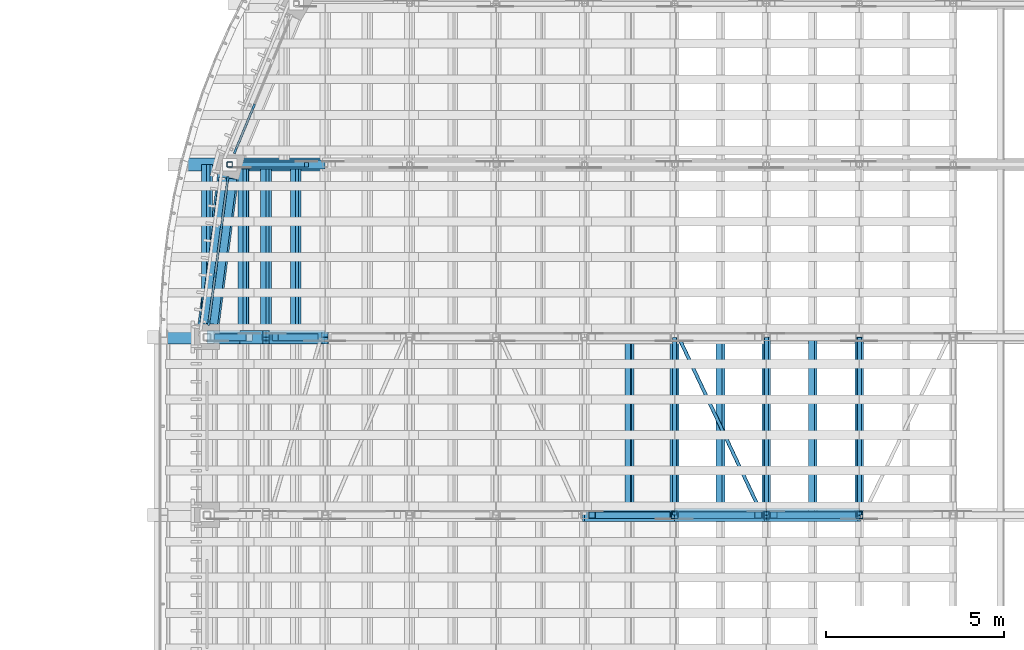
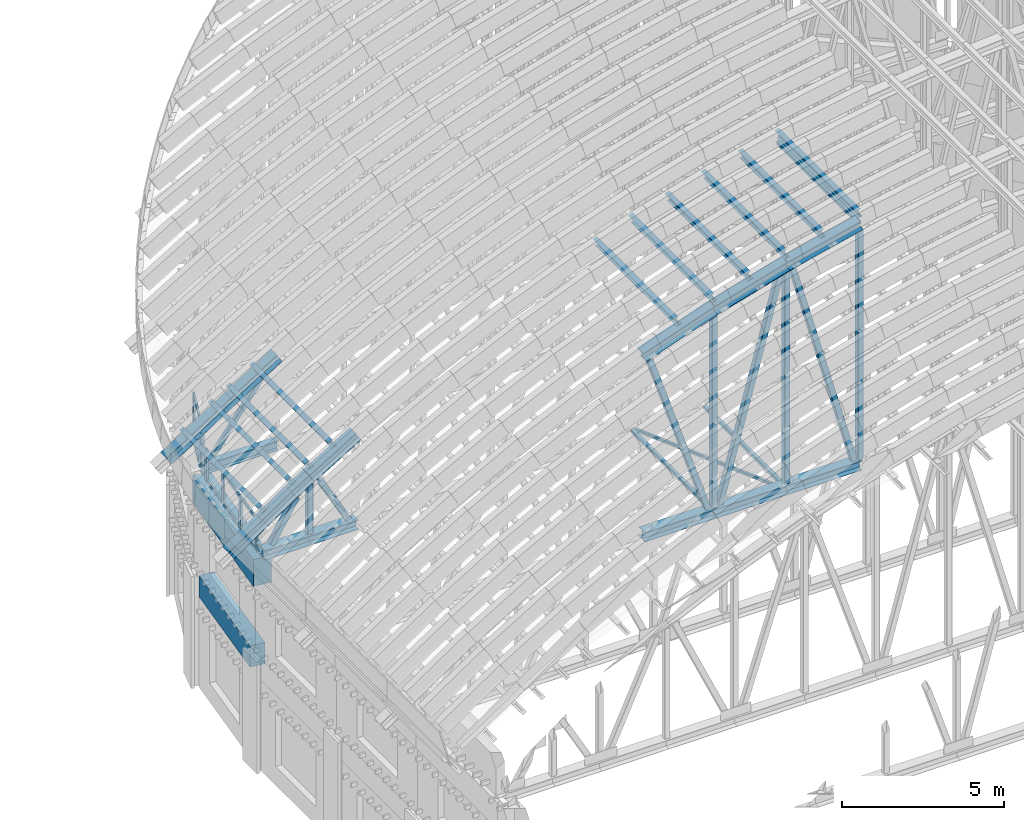
# One storey, part 19 of 105: 53 members, 2 beams, 2 elements without a shape of their own.
"""IFC4 building model written with IfcOpenShell, lengths in metres."""

from ifc_helpers import new_model, si_unit, direction, frame, origin, origin_2d, place, context, subcontext, project, spatial, rectangle, hollow_rectangle, i_section, extrude, material, layer, layer_set, material_profile, profile_set, type_object, element, aggregate, save


model = new_model("IFC4")

# Units and contexts
model_context = context("Model", 3, precision=1e-05, world=origin(), true_north=direction((0.0, 1.0)))
body_context = subcontext(model_context, "Body", "Model", "MODEL_VIEW")
ifc_project = project(units=[si_unit("LENGTHUNIT", "METRE"), si_unit("AREAUNIT", "SQUARE_METRE"), si_unit("VOLUMEUNIT", "CUBIC_METRE"), si_unit("PLANEANGLEUNIT", "RADIAN"), si_unit("MASSUNIT", "GRAM", prefix="KILO")], contexts=[model_context])

# Site, building, storey
site_placement = place(None, origin())
site = spatial("IfcSite", under=ifc_project, at=site_placement, CompositionType="ELEMENT")
building_placement = place(site_placement, origin())
building = spatial("IfcBuilding", under=site, at=building_placement, Name="Wasatch Bagh Community Centre", CompositionType="ELEMENT")
storey_placement = place(building_placement, frame((0.0, 0.0, 16.800048828125)))
storey = spatial("IfcBuildingStorey", under=building, at=storey_placement, Name="L04", CompositionType="ELEMENT", Elevation=16.800048828125)

# Members
ifc_material_1 = material(Name="ASTM A500 Grade C steel", Category="steel")
ifc_material_profile_1 = material_profile(ifc_material_1, hollow_rectangle(XDim=0.1015625, YDim=0.1015625, WallThickness=0.005859375, InnerFilletRadius=0.005859375, OuterFilletRadius=0.01171875, at=origin_2d()), Name="HSS4x4x1/4")
ifc_profile_set_1 = profile_set([ifc_material_profile_1], Name="ASTM A500 Grade C steel")
member_type_1 = type_object("IfcMemberType", Name="HSS4x4x1/4 brace", PredefinedType="BRACE", material=ifc_profile_set_1)
member_1_placement = place(storey_placement, frame((32.84716796875, 60.02490234375, 7.892822265625), z_axis=(-0.425407933989, 0.905001707015, 0.0), x_axis=(-0.905001707015, -0.425407933989, 0.0)))
element("IfcMember", 1, at=member_1_placement, inside=storey, type_object=member_type_1, Name="MH.TA6-TA7.RB.DG07", PredefinedType="BRACE", context=body_context, shape_type="SweptSolid", body=[
    extrude(hollow_rectangle(XDim=0.1015625, YDim=0.1015625, WallThickness=0.005859375, InnerFilletRadius=0.005859375, OuterFilletRadius=0.01171875, at=origin_2d()), origin(), (0.0, 0.0, 1.0), 5.4697265625),
])
ifc_material_profile_2 = material_profile(ifc_material_1, hollow_rectangle(XDim=0.126953125, YDim=0.126953125, WallThickness=0.00732421875, InnerFilletRadius=0.00732421875, OuterFilletRadius=0.0146484375, at=origin_2d()), Name="HSS5x5x5/16")
ifc_profile_set_2 = profile_set([ifc_material_profile_2], Name="ASTM A500 Grade C steel")
member_type_2 = type_object("IfcMemberType", Name="HSS5x5x5/16 strut", PredefinedType="STRUT", material=ifc_profile_set_2)
member_2_placement = place(storey_placement, frame((35.585205078125, 60.00537109375, 16.906494140625), z_axis=(0.0, 1.0, 0.0), x_axis=(-1.0, 0.0, 0.0)))
element("IfcMember", 2, at=member_2_placement, inside=storey, type_object=member_type_2, Name="MH.TA6-TA7.RT.ST09W", PredefinedType="STRUT", context=body_context, shape_type="SweptSolid", body=[
    extrude(hollow_rectangle(XDim=0.126953125, YDim=0.126953125, WallThickness=0.00732421875, InnerFilletRadius=0.00732421875, OuterFilletRadius=0.0146484375, at=origin_2d()), origin(), (0.0, 0.0, 1.0), 4.9892578125),
])
for number, where, z_axis, x_axis, name in (
    (3, (30.39501953125, 60.003662109375, 7.892822265625), (0.0, 1.0, 0.0), (-1.0, 0.0, 0.0), "MH.TA6-TA7.RB.ST07W"),
    (4, (32.972412109375, 60.003662109375, 7.892822265625), (0.0, 1.0, 0.0), (-1.0, 0.0, 0.0), "MH.TA6-TA7.RB.ST07E"),
):
    element("IfcMember", number, at=place(storey_placement, frame(where, z_axis=z_axis, x_axis=x_axis)), inside=storey, type_object=member_type_2, Name=name, PredefinedType="STRUT", context=body_context, shape_type="SweptSolid", body=[
        extrude(hollow_rectangle(XDim=0.126953125, YDim=0.126953125, WallThickness=0.00732421875, InnerFilletRadius=0.00732421875, OuterFilletRadius=0.0146484375, at=origin_2d()), origin(), (0.0, 0.0, 1.0), 4.99267578125),
    ])
ifc_material_profile_3 = material_profile(ifc_material_1, hollow_rectangle(XDim=0.15234375, YDim=0.15234375, WallThickness=0.0087890625, InnerFilletRadius=0.0087890625, OuterFilletRadius=0.017822265625, at=origin_2d()), Name="HSS6x6x3/8")
ifc_profile_set_3 = profile_set([ifc_material_profile_3], Name="ASTM A500 Grade C steel")
member_type_3 = type_object("IfcMemberType", Name="HSS6x6x3/8 brace", PredefinedType="BRACE", material=ifc_profile_set_3)
member_3_placement = place(storey_placement, frame((18.182373046875, 69.852783203125, 8.11669921875), z_axis=(0.600100417359, 0.0, 0.799924677133), x_axis=(0.0, 1.0, 0.0)))
element("IfcMember", 5, at=member_3_placement, inside=storey, type_object=member_type_3, Name="MH.TN1.WB01", PredefinedType="BRACE", context=body_context, shape_type="SweptSolid", body=[
    extrude(hollow_rectangle(XDim=0.15234375, YDim=0.15234375, WallThickness=0.0087890625, InnerFilletRadius=0.0087890625, OuterFilletRadius=0.017822265625, at=origin_2d()), origin(), (0.0, 0.0, 1.0), 3.11181640625),
])
ifc_material_profile_4 = material_profile(ifc_material_1, hollow_rectangle(XDim=0.15234375, YDim=0.15234375, WallThickness=0.0087890625, InnerFilletRadius=0.0087890625, OuterFilletRadius=0.017822265625, at=origin_2d()), Name="HSS6x6x3/8")
ifc_profile_set_4 = profile_set([ifc_material_profile_4], Name="ASTM A500 Grade C steel")
member_type_4 = type_object("IfcMemberType", Name="HSS6x6x3/8 post", PredefinedType="POST", material=ifc_profile_set_4)
member_4_placement = place(storey_placement, frame((17.888916015625, 69.852783203125, 8.070556640625), z_axis=(0.0, 0.0, 1.0), x_axis=(1.0, 0.0, 0.0)))
element("IfcMember", 6, at=member_4_placement, inside=storey, type_object=member_type_4, Name="MH.TN1.PS01", PredefinedType="POST", context=body_context, shape_type="SweptSolid", body=[
    extrude(hollow_rectangle(XDim=0.15234375, YDim=0.15234375, WallThickness=0.0087890625, InnerFilletRadius=0.0087890625, OuterFilletRadius=0.017822265625, at=origin_2d()), origin(), (0.0, 0.0, 1.0), 1.2197265625),
])
ifc_material_profile_5 = material_profile(ifc_material_1, hollow_rectangle(XDim=0.203125, YDim=0.203125, WallThickness=0.01171875, InnerFilletRadius=0.01171875, OuterFilletRadius=0.023681640625, at=origin_2d()), Name="HSS8x8x1/2")
ifc_profile_set_5 = profile_set([ifc_material_profile_5], Name="ASTM A500 Grade C steel")
member_type_5 = type_object("IfcMemberType", Name="HSS8x8x1/2 post", PredefinedType="POST", material=ifc_profile_set_5)
member_5_placement = place(storey_placement, frame((30.39501953125, 60.0, 8.070556640625), z_axis=(0.0, 0.0, 1.0), x_axis=(1.0, 0.0, 0.0)))
element("IfcMember", 7, at=member_5_placement, inside=storey, type_object=member_type_5, Name="MH.TA6.PS07", PredefinedType="POST", context=body_context, shape_type="SweptSolid", body=[
    extrude(hollow_rectangle(XDim=0.203125, YDim=0.203125, WallThickness=0.01171875, InnerFilletRadius=0.01171875, OuterFilletRadius=0.023681640625, at=origin_2d()), origin(), (0.0, 0.0, 1.0), 7.228759765625),
])
member_6_placement = place(storey_placement, frame((32.972412109375, 60.0, 8.070556640625), z_axis=(0.0, 0.0, 1.0), x_axis=(1.0, 0.0, 0.0)))
element("IfcMember", 8, at=member_6_placement, inside=storey, type_object=member_type_5, Name="MH.TA6.PS08", PredefinedType="POST", context=body_context, shape_type="SweptSolid", body=[
    extrude(hollow_rectangle(XDim=0.203125, YDim=0.203125, WallThickness=0.01171875, InnerFilletRadius=0.01171875, OuterFilletRadius=0.023681640625, at=origin_2d()), origin(), (0.0, 0.0, 1.0), 7.9931640625),
])
member_7_placement = place(storey_placement, frame((35.585205078125, 60.0, 8.070556640625), z_axis=(0.0, 0.0, 1.0), x_axis=(1.0, 0.0, 0.0)))
element("IfcMember", 9, at=member_7_placement, inside=storey, type_object=member_type_5, Name="MH.TA6.PS09", PredefinedType="POST", context=body_context, shape_type="SweptSolid", body=[
    extrude(hollow_rectangle(XDim=0.203125, YDim=0.203125, WallThickness=0.01171875, InnerFilletRadius=0.01171875, OuterFilletRadius=0.023681640625, at=origin_2d()), origin(), (0.0, 0.0, 1.0), 8.6220703125),
])
member_8_placement = place(storey_placement, frame((18.91259765625, 65.0, 8.070556640625), z_axis=(0.0, 0.0, 1.0), x_axis=(1.0, 0.0, 0.0)))
element("IfcMember", 10, at=member_8_placement, inside=storey, type_object=member_type_5, Name="MH.TA7.PS02", PredefinedType="POST", context=body_context, shape_type="SweptSolid", body=[
    extrude(hollow_rectangle(XDim=0.203125, YDim=0.203125, WallThickness=0.01171875, InnerFilletRadius=0.01171875, OuterFilletRadius=0.023681640625, at=origin_2d()), origin(), (0.0, 0.0, 1.0), 1.8544921875),
])
ifc_material_profile_6 = material_profile(ifc_material_1, hollow_rectangle(XDim=0.203125, YDim=0.203125, WallThickness=0.0087890625, InnerFilletRadius=0.0087890625, OuterFilletRadius=0.017822265625, at=origin_2d()), Name="HSS8x8x3/8")
ifc_profile_set_6 = profile_set([ifc_material_profile_6], Name="ASTM A500 Grade C steel")
member_type_6 = type_object("IfcMemberType", Name="HSS8x8x3/8 brace", PredefinedType="BRACE", material=ifc_profile_set_6)
member_9_placement = place(storey_placement, frame((30.170166015625, 60.0, 8.1025390625), z_axis=(-0.31047180951, 0.0, 0.950582587417), x_axis=(0.0, -1.0, 0.0)))
element("IfcMember", 11, at=member_9_placement, inside=storey, type_object=member_type_6, Name="MH.TA6.WB06", PredefinedType="BRACE", context=body_context, shape_type="SweptSolid", body=[
    extrude(hollow_rectangle(XDim=0.203125, YDim=0.203125, WallThickness=0.0087890625, InnerFilletRadius=0.0087890625, OuterFilletRadius=0.017822265625, at=origin_2d()), origin(), (0.0, 0.0, 1.0), 6.750732421875),
])
member_10_placement = place(storey_placement, frame((30.60595703125, 60.0, 8.09765625), z_axis=(0.262074056631, 0.0, 0.965047765057), x_axis=(0.0, 1.0, 0.0)))
element("IfcMember", 12, at=member_10_placement, inside=storey, type_object=member_type_6, Name="MH.TA6.WB07", PredefinedType="BRACE", context=body_context, shape_type="SweptSolid", body=[
    extrude(hollow_rectangle(XDim=0.203125, YDim=0.203125, WallThickness=0.0087890625, InnerFilletRadius=0.0087890625, OuterFilletRadius=0.017822265625, at=origin_2d()), origin(), (0.0, 0.0, 1.0), 8.15869140625),
])
member_11_placement = place(storey_placement, frame((35.3740234375, 60.0, 8.097900390625), z_axis=(-0.263471689833, 0.0, 0.964667128421), x_axis=(0.0, -1.0, 0.0)))
element("IfcMember", 13, at=member_11_placement, inside=storey, type_object=member_type_6, Name="MH.TA6.WB08", PredefinedType="BRACE", context=body_context, shape_type="SweptSolid", body=[
    extrude(hollow_rectangle(XDim=0.203125, YDim=0.203125, WallThickness=0.0087890625, InnerFilletRadius=0.0087890625, OuterFilletRadius=0.017822265625, at=origin_2d()), origin(), (0.0, 0.0, 1.0), 8.337890625),
])
member_12_placement = place(storey_placement, frame((17.5537109375, 65.0, 8.12353515625), z_axis=(0.516603928155, 0.0, 0.856224492417), x_axis=(0.0, 1.0, 0.0)))
element("IfcMember", 14, at=member_12_placement, inside=storey, type_object=member_type_6, Name="MH.TA7.WB01", PredefinedType="BRACE", context=body_context, shape_type="SweptSolid", body=[
    extrude(hollow_rectangle(XDim=0.203125, YDim=0.203125, WallThickness=0.0087890625, InnerFilletRadius=0.0087890625, OuterFilletRadius=0.017822265625, at=origin_2d()), origin(), (0.0, 0.0, 1.0), 1.71875),
])
member_13_placement = place(storey_placement, frame((20.28466796875, 65.0, 8.120361328125), z_axis=(-0.48431154024, 0.0, 0.874895612054), x_axis=(0.0, -1.0, 0.0)))
element("IfcMember", 15, at=member_13_placement, inside=storey, type_object=member_type_6, Name="MH.TA7.WB02", PredefinedType="BRACE", context=body_context, shape_type="SweptSolid", body=[
    extrude(hollow_rectangle(XDim=0.203125, YDim=0.203125, WallThickness=0.0087890625, InnerFilletRadius=0.0087890625, OuterFilletRadius=0.017822265625, at=origin_2d()), origin(), (0.0, 0.0, 1.0), 2.30517578125),
])

# Curtain wall, members
ifc_material_2 = material(Name="Aluminium curtain wall frame with low-iron glass", Category="aluminium")
ifc_layer_1 = layer(ifc_material_2, 0.10009765625)
ifc_layer_set_1 = layer_set([ifc_layer_1], Name="Aluminium curtain wall frame with low-iron glass")
curtain_wall_type_1 = type_object("IfcCurtainWallType", Name="MH end screen curtain wall 2", PredefinedType="NOTDEFINED", material=ifc_layer_set_1)
curtain_wall_1_placement = place(storey_placement, origin())
curtain_wall_1 = element("IfcCurtainWall", 16, at=curtain_wall_1_placement, inside=storey, type_object=curtain_wall_type_1, Name="End screen 29", PredefinedType="NOTDEFINED")
ifc_material_3 = material(Name="Aluminium extrusion", Category="aluminium")
ifc_material_profile_7 = material_profile(ifc_material_3, rectangle(XDim=0.06005859375, YDim=0.159912109375, at=origin_2d()), Name="AL 60x160")
ifc_profile_set_7 = profile_set([ifc_material_profile_7], Name="Aluminium extrusion")
member_type_7 = type_object("IfcMemberType", Name="MH end screen mullion 60x160", PredefinedType="MULLION", material=ifc_profile_set_7)
member_14_placement = place(storey_placement, frame((18.5625, 71.479248046875, 7.699951171875), z_axis=(0.0, 0.0, 1.0), x_axis=(0.923879532585, -0.382683432188, 0.0)))
member_14 = element("IfcMember", 17, at=member_14_placement, type_object=member_type_7, Name="MH-CW2 mullion 3", PredefinedType="MULLION", context=body_context, shape_type="SweptSolid", body=[
    extrude(rectangle(XDim=0.06005859375, YDim=0.159912109375, at=origin_2d()), origin(), (0.0, 0.0, 1.0), 1.800048828125),
])
member_15_placement = place(storey_placement, frame((18.04833984375, 70.237548828125, 7.699951171875), z_axis=(0.0, 0.0, 1.0), x_axis=(0.923879532585, -0.382683432188, 0.0)))
member_15 = element("IfcMember", 18, at=member_15_placement, type_object=member_type_7, Name="MH-CW2 mullion 4", PredefinedType="MULLION", context=body_context, shape_type="SweptSolid", body=[
    extrude(rectangle(XDim=0.06005859375, YDim=0.159912109375, at=origin_2d()), origin(), (0.0, 0.0, 1.0), 1.800048828125),
])

ifc_layer_2 = layer(ifc_material_2, 0.10009765625)
ifc_layer_set_2 = layer_set([ifc_layer_2], Name="Aluminium curtain wall frame with low-iron glass")
curtain_wall_type_2 = type_object("IfcCurtainWallType", Name="MH end screen curtain wall 1", PredefinedType="NOTDEFINED", material=ifc_layer_set_2)
curtain_wall_2_placement = place(storey_placement, origin())
curtain_wall_2 = element("IfcCurtainWall", 19, at=curtain_wall_2_placement, inside=storey, type_object=curtain_wall_type_2, Name="End screen 30", PredefinedType="NOTDEFINED")
member_16_placement = place(storey_placement, frame((17.83447265625, 69.43994140625, 7.699951171875), z_axis=(0.0, 0.0, 1.0), x_axis=(0.991444861374, -0.13052619222, 0.0)))
member_16 = element("IfcMember", 20, at=member_16_placement, type_object=member_type_7, Name="MH-CW1 mullion 1", PredefinedType="MULLION", context=body_context, shape_type="SweptSolid", body=[
    extrude(rectangle(XDim=0.06005859375, YDim=0.159912109375, at=origin_2d()), origin(), (0.0, 0.0, 1.0), 1.199951171875),
])
member_17_placement = place(storey_placement, frame((17.6591796875, 68.107421875, 7.699951171875), z_axis=(0.0, 0.0, 1.0), x_axis=(0.991444861374, -0.13052619222, 0.0)))
member_17 = element("IfcMember", 21, at=member_17_placement, type_object=member_type_7, Name="MH-CW1 mullion 2", PredefinedType="MULLION", context=body_context, shape_type="SweptSolid", body=[
    extrude(rectangle(XDim=0.06005859375, YDim=0.159912109375, at=origin_2d()), origin(), (0.0, 0.0, 1.0), 1.199951171875),
])
member_18_placement = place(storey_placement, frame((17.479736328125, 66.745361328125, 7.699951171875), z_axis=(0.0, 0.0, 1.0), x_axis=(0.991444861374, -0.13052619222, 0.0)))
member_18 = element("IfcMember", 22, at=member_18_placement, type_object=member_type_7, Name="MH-CW1 mullion 3", PredefinedType="MULLION", context=body_context, shape_type="SweptSolid", body=[
    extrude(rectangle(XDim=0.06005859375, YDim=0.159912109375, at=origin_2d()), origin(), (0.0, 0.0, 1.0), 1.199951171875),
])
member_19_placement = place(storey_placement, frame((17.304443359375, 65.412841796875, 7.699951171875), z_axis=(0.0, 0.0, 1.0), x_axis=(0.991444861374, -0.13052619222, 0.0)))
member_19 = element("IfcMember", 23, at=member_19_placement, type_object=member_type_7, Name="MH-CW1 mullion 4", PredefinedType="MULLION", context=body_context, shape_type="SweptSolid", body=[
    extrude(rectangle(XDim=0.06005859375, YDim=0.159912109375, at=origin_2d()), origin(), (0.0, 0.0, 1.0), 1.199951171875),
])

# Member
ifc_material_profile_8 = material_profile(ifc_material_3, rectangle(XDim=0.06005859375, YDim=0.1201171875, at=origin_2d()), Name="AL 60x120")
ifc_profile_set_8 = profile_set([ifc_material_profile_8], Name="Aluminium extrusion")
member_type_8 = type_object("IfcMemberType", Name="MH end screen transom 60x120", PredefinedType="USERDEFINED", material=ifc_profile_set_8)
member_20_placement = place(storey_placement, frame((18.551025390625, 71.451416015625, 7.72998046875), z_axis=(-0.382642933155, -0.923896306793, 0.0), x_axis=(0.923896306793, -0.382642933155, 0.0)))
member_20 = element("IfcMember", 24, at=member_20_placement, type_object=member_type_8, Name="MH-CW2 transom 3.1", ObjectType="TRANSOM", PredefinedType="USERDEFINED", context=body_context, shape_type="SweptSolid", body=[
    extrude(rectangle(XDim=0.06005859375, YDim=0.1201171875, at=origin_2d()), origin(), (0.0, 0.0, 1.0), 1.28369140625),
])

member_21_placement = place(storey_placement, frame((18.551025390625, 71.451416015625, 9.469970703125), z_axis=(-0.382642933155, -0.923896306793, 0.0), x_axis=(0.923896306793, -0.382642933155, 0.0)))
member_21 = element("IfcMember", 25, at=member_21_placement, type_object=member_type_8, Name="MH-CW2 transom 3.2", ObjectType="TRANSOM", PredefinedType="USERDEFINED", context=body_context, shape_type="SweptSolid", body=[
    extrude(rectangle(XDim=0.06005859375, YDim=0.1201171875, at=origin_2d()), origin(), (0.0, 0.0, 1.0), 1.28369140625),
])

aggregate(curtain_wall_1, [member_14, member_15, member_20, member_21])

member_22_placement = place(storey_placement, frame((17.83056640625, 69.41015625, 7.72998046875), z_axis=(-0.130444674855, -0.991455589929, 0.0), x_axis=(0.991455589929, -0.130444674855, 0.0)))
member_22 = element("IfcMember", 26, at=member_22_placement, type_object=member_type_8, Name="MH-CW1 transom 1.1", ObjectType="TRANSOM", PredefinedType="USERDEFINED", context=body_context, shape_type="SweptSolid", body=[
    extrude(rectangle(XDim=0.06005859375, YDim=0.1201171875, at=origin_2d()), origin(), (0.0, 0.0, 1.0), 1.283935546875),
])

member_23_placement = place(storey_placement, frame((17.83056640625, 69.41015625, 8.869873046875), z_axis=(-0.130444674855, -0.991455589929, 0.0), x_axis=(0.991455589929, -0.130444674855, 0.0)))
member_23 = element("IfcMember", 27, at=member_23_placement, type_object=member_type_8, Name="MH-CW1 transom 1.2", ObjectType="TRANSOM", PredefinedType="USERDEFINED", context=body_context, shape_type="SweptSolid", body=[
    extrude(rectangle(XDim=0.06005859375, YDim=0.1201171875, at=origin_2d()), origin(), (0.0, 0.0, 1.0), 1.283935546875),
])

member_24_placement = place(storey_placement, frame((17.6552734375, 68.077880859375, 7.72998046875), z_axis=(-0.130617924389, -0.991432780287, 0.0), x_axis=(0.991432780287, -0.130617924389, 0.0)))
member_24 = element("IfcMember", 28, at=member_24_placement, type_object=member_type_8, Name="MH-CW1 transom 2.1", ObjectType="TRANSOM", PredefinedType="USERDEFINED", context=body_context, shape_type="SweptSolid", body=[
    extrude(rectangle(XDim=0.06005859375, YDim=0.1201171875, at=origin_2d()), origin(), (0.0, 0.0, 1.0), 1.31396484375),
])

member_25_placement = place(storey_placement, frame((17.6552734375, 68.077880859375, 8.869873046875), z_axis=(-0.130617924389, -0.991432780287, 0.0), x_axis=(0.991432780287, -0.130617924389, 0.0)))
member_25 = element("IfcMember", 29, at=member_25_placement, type_object=member_type_8, Name="MH-CW1 transom 2.2", ObjectType="TRANSOM", PredefinedType="USERDEFINED", context=body_context, shape_type="SweptSolid", body=[
    extrude(rectangle(XDim=0.06005859375, YDim=0.1201171875, at=origin_2d()), origin(), (0.0, 0.0, 1.0), 1.31396484375),
])

member_26_placement = place(storey_placement, frame((17.475830078125, 66.715576171875, 7.72998046875), z_axis=(-0.130444674855, -0.991455589929, 0.0), x_axis=(0.991455589929, -0.130444674855, 0.0)))
member_26 = element("IfcMember", 30, at=member_26_placement, type_object=member_type_8, Name="MH-CW1 transom 3.1", ObjectType="TRANSOM", PredefinedType="USERDEFINED", context=body_context, shape_type="SweptSolid", body=[
    extrude(rectangle(XDim=0.06005859375, YDim=0.1201171875, at=origin_2d()), origin(), (0.0, 0.0, 1.0), 1.283935546875),
])

member_27_placement = place(storey_placement, frame((17.475830078125, 66.715576171875, 8.869873046875), z_axis=(-0.130444674855, -0.991455589929, 0.0), x_axis=(0.991455589929, -0.130444674855, 0.0)))
member_27 = element("IfcMember", 31, at=member_27_placement, type_object=member_type_8, Name="MH-CW1 transom 3.2", ObjectType="TRANSOM", PredefinedType="USERDEFINED", context=body_context, shape_type="SweptSolid", body=[
    extrude(rectangle(XDim=0.06005859375, YDim=0.1201171875, at=origin_2d()), origin(), (0.0, 0.0, 1.0), 1.283935546875),
])

aggregate(curtain_wall_2, [member_16, member_17, member_18, member_19, member_22, member_23, member_24, member_25, member_26, member_27])

# Beams
ifc_material_4 = material(Name="Concrete C35", Category="concrete")
ifc_material_profile_9 = material_profile(ifc_material_4, rectangle(XDim=0.5, YDim=0.800048828125, at=origin_2d()), Name="RC 500x800")
ifc_profile_set_9 = profile_set([ifc_material_profile_9], Name="Concrete C35")
beam_type_1 = type_object("IfcBeamType", Name="MH ring beam RC 500x800", PredefinedType="BEAM", material=ifc_profile_set_9)
beam_1_placement = place(storey_placement, frame((17.83837890625, 69.4697265625, 3.800048828125), z_axis=(-0.130483623501, -0.991450464722, 0.0), x_axis=(0.991450464722, -0.130483623501, 0.0)))
element("IfcBeam", 32, at=beam_1_placement, inside=storey, type_object=beam_type_1, Name="Ring beam 21.0 N11-W7", PredefinedType="BEAM", context=body_context, shape_type="SweptSolid", body=[
    extrude(rectangle(XDim=0.5, YDim=0.800048828125, at=origin_2d()), origin(), (0.0, 0.0, 1.0), 4.121826171875),
])
ifc_material_profile_10 = material_profile(ifc_material_4, rectangle(XDim=0.60009765625, YDim=1.0, at=origin_2d()), Name="RC 600x1000")
ifc_profile_set_10 = profile_set([ifc_material_profile_10], Name="Concrete C35")
beam_type_2 = type_object("IfcBeamType", Name="MH ring beam RC 600x1000", PredefinedType="BEAM", material=ifc_profile_set_10)
beam_2_placement = place(storey_placement, frame((17.888916015625, 69.852783203125, 7.199951171875), z_axis=(-0.130533218363, -0.991443936339, 0.0), x_axis=(0.991443936339, -0.130533218363, 0.0)))
element("IfcBeam", 33, at=beam_2_placement, inside=storey, type_object=beam_type_2, Name="Ring beam 24.5 N11-W7", PredefinedType="BEAM", context=body_context, shape_type="SweptSolid", body=[
    extrude(rectangle(XDim=0.60009765625, YDim=1.0, at=origin_2d()), origin(), (0.0, 0.0, 1.0), 4.894775390625),
])

# Members
ifc_material_5 = material(Name="ASTM A992 Grade 50 steel", Category="steel")
ifc_material_profile_11 = material_profile(ifc_material_5, i_section(OverallWidth=0.164794921875, OverallDepth=0.309814453125, WebThickness=0.005859375, FlangeThickness=0.009765625, at=origin_2d()), Name="W12x26")
ifc_profile_set_11 = profile_set([ifc_material_profile_11], Name="ASTM A992 Grade 50 steel")
member_type_9 = type_object("IfcMemberType", Name="W12x26 purlin", PredefinedType="PURLIN", material=ifc_profile_set_11)
for number, where, z_axis, x_axis, name in (
    (34, (29.12744140625, 60.0, 15.44580078125), (0.0, 1.0, 0.0), (-0.944194315577, 0.0, -0.329388971326), "MH.TA6-TA7.PU13"),
    (35, (30.39501953125, 60.0, 15.887939453125), (0.0, 1.0, 0.0), (-0.944194315577, 0.0, -0.329388971326), "MH.TA6-TA7.PU14"),
    (36, (31.683837890625, 60.0, 16.261474609375), (0.0, 1.0, 0.0), (-0.959937587317, 0.0, -0.280213897686), "MH.TA6-TA7.PU15"),
    (37, (32.972412109375, 60.0, 16.6376953125), (0.0, 1.0, 0.0), (-0.959937587317, 0.0, -0.280213897686), "MH.TA6-TA7.PU16"),
    (38, (34.27880859375, 60.0, 16.944580078125), (0.0, 1.0, 0.0), (-0.973121628566, 0.0, -0.23029176281), "MH.TA6-TA7.PU17"),
    (39, (35.585205078125, 60.0, 17.25390625), (0.0, 1.0, 0.0), (-0.973121628566, 0.0, -0.23029176281), "MH.TA6-TA7.PU18"),
):
    element("IfcMember", number, at=place(storey_placement, frame(where, z_axis=z_axis, x_axis=x_axis)), inside=storey, type_object=member_type_9, Name=name, PredefinedType="PURLIN", context=body_context, shape_type="SweptSolid", body=[
        extrude(i_section(OverallWidth=0.164794921875, OverallDepth=0.309814453125, WebThickness=0.005859375, FlangeThickness=0.009765625, at=origin_2d()), origin(), (0.0, 0.0, 1.0), 5.0),
    ])
for number, where, z_axis, x_axis, name in (
    (40, (17.25, 65.0, 9.528564453125), (0.0, 1.0, 0.0), (-0.828790536479, 0.0, -0.559558975125), "MH.TA7-TN1.PU01"),
    (41, (18.275146484375, 65.0, 10.220947265625), (0.0, 1.0, 0.0), (-0.828790536479, 0.0, -0.559558975125), "MH.TA7-TN1.PU02"),
    (42, (18.91259765625, 65.0, 10.5986328125), (0.0, 1.0, 0.0), (-0.856568201678, 0.0, -0.516033832102), "MH.TA7-TN1.PU03"),
    (43, (19.743896484375, 65.0, 11.099609375), (0.0, 1.0, 0.0), (-0.856568214693, 0.0, -0.516033810499), "MH.TA7-TN1.PU04"),
):
    element("IfcMember", number, at=place(storey_placement, frame(where, z_axis=z_axis, x_axis=x_axis)), inside=storey, type_object=member_type_9, Name=name, PredefinedType="PURLIN", context=body_context, shape_type="SweptSolid", body=[
        extrude(i_section(OverallWidth=0.164794921875, OverallDepth=0.309814453125, WebThickness=0.005859375, FlangeThickness=0.009765625, at=origin_2d()), origin(), (0.0, 0.0, 1.0), 4.852783203125),
    ])
ifc_material_profile_12 = material_profile(ifc_material_5, i_section(OverallWidth=0.373291015625, OverallDepth=0.368408203125, WebThickness=0.014892578125, FlangeThickness=0.02392578125, at=origin_2d()), Name="W14x120")
ifc_profile_set_12 = profile_set([ifc_material_profile_12], Name="ASTM A992 Grade 50 steel")
member_type_10 = type_object("IfcMemberType", Name="W14x120 chord", PredefinedType="CHORD", material=ifc_profile_set_12)
member_28_placement = place(storey_placement, frame((27.864990234375, 60.0, 14.644287109375), z_axis=(0.943774394327, 0.0, 0.330590218568), x_axis=(0.0, 1.0, 0.0)))
element("IfcMember", 44, at=member_28_placement, inside=storey, type_object=member_type_10, Name="MH.TA6.TC08", PredefinedType="CHORD", context=body_context, shape_type="SweptSolid", body=[
    extrude(i_section(OverallWidth=0.373291015625, OverallDepth=0.368408203125, WebThickness=0.014892578125, FlangeThickness=0.02392578125, at=origin_2d()), origin(), (0.0, 0.0, 1.0), 2.675537109375),
])
for number, where, z_axis, x_axis, name in (
    (45, (30.400146484375, 60.0, 15.531982421875), (0.959628119174, 0.0, 0.281271884288), (0.0, 1.0, 0.0), "MH.TA6.TC09"),
    (46, (32.9775390625, 60.0, 16.287109375), (0.972931420712, 0.0, 0.23109402976), (0.0, 1.0, 0.0), "MH.TA6.TC10"),
):
    element("IfcMember", number, at=place(storey_placement, frame(where, z_axis=z_axis, x_axis=x_axis)), inside=storey, type_object=member_type_10, Name=name, PredefinedType="CHORD", context=body_context, shape_type="SweptSolid", body=[
        extrude(i_section(OverallWidth=0.373291015625, OverallDepth=0.368408203125, WebThickness=0.014892578125, FlangeThickness=0.02392578125, at=origin_2d()), origin(), (0.0, 0.0, 1.0), 2.675048828125),
    ])
member_29_placement = place(storey_placement, frame((16.050048828125, 65.0, 8.309326171875), z_axis=(0.828791955718, 0.0, 0.559556873014), x_axis=(0.0, 1.0, 0.0)))
element("IfcMember", 47, at=member_29_placement, inside=storey, type_object=member_type_10, Name="MH.TA7.TC01", PredefinedType="CHORD", context=body_context, shape_type="SweptSolid", body=[
    extrude(i_section(OverallWidth=0.373291015625, OverallDepth=0.368408203125, WebThickness=0.014892578125, FlangeThickness=0.02392578125, at=origin_2d()), origin(), (0.0, 0.0, 1.0), 1.447265625),
])
member_30_placement = place(storey_placement, frame((17.25048828125, 65.0, 9.119873046875), z_axis=(0.827423215104, 0.0, 0.561578866328), x_axis=(0.0, 1.0, 0.0)))
element("IfcMember", 48, at=member_30_placement, inside=storey, type_object=member_type_10, Name="MH.TA7.TC02", PredefinedType="CHORD", context=body_context, shape_type="SweptSolid", body=[
    extrude(i_section(OverallWidth=0.373291015625, OverallDepth=0.368408203125, WebThickness=0.014892578125, FlangeThickness=0.02392578125, at=origin_2d()), origin(), (0.0, 0.0, 1.0), 1.2333984375),
])
member_31_placement = place(storey_placement, frame((18.279541015625, 65.0, 9.818115234375), z_axis=(0.854567882738, 0.0, 0.519339709432), x_axis=(0.0, 1.0, 0.0)))
element("IfcMember", 49, at=member_31_placement, inside=storey, type_object=member_type_10, Name="MH.TA7.TC03", PredefinedType="CHORD", context=body_context, shape_type="SweptSolid", body=[
    extrude(i_section(OverallWidth=0.373291015625, OverallDepth=0.368408203125, WebThickness=0.014892578125, FlangeThickness=0.02392578125, at=origin_2d()), origin(), (0.0, 0.0, 1.0), 0.739990234375),
])
member_32_placement = place(storey_placement, frame((18.9130859375, 65.0, 10.203125), z_axis=(0.855786494441, 0.0, 0.517329175605), x_axis=(0.0, 1.0, 0.0)))
element("IfcMember", 50, at=member_32_placement, inside=storey, type_object=member_type_10, Name="MH.TA7.TC04", PredefinedType="CHORD", context=body_context, shape_type="SweptSolid", body=[
    extrude(i_section(OverallWidth=0.373291015625, OverallDepth=0.368408203125, WebThickness=0.014892578125, FlangeThickness=0.02392578125, at=origin_2d()), origin(), (0.0, 0.0, 1.0), 1.936767578125),
])
ifc_material_profile_13 = material_profile(ifc_material_5, i_section(OverallWidth=0.25390625, OverallDepth=0.355712890625, WebThickness=0.010498046875, FlangeThickness=0.018310546875, at=origin_2d()), Name="W14x68")
ifc_profile_set_13 = profile_set([ifc_material_profile_13], Name="ASTM A992 Grade 50 steel")
member_type_11 = type_object("IfcMemberType", Name="W14x68 chord", PredefinedType="CHORD", material=ifc_profile_set_13)
member_33_placement = place(storey_placement, frame((17.888916015625, 69.852783203125, 7.892822265625), z_axis=(1.0, 0.0, 0.0), x_axis=(0.0, 1.0, 0.0)))
element("IfcMember", 51, at=member_33_placement, inside=storey, type_object=member_type_11, Name="MH.TN1.BC01", PredefinedType="CHORD", context=body_context, shape_type="SweptSolid", body=[
    extrude(i_section(OverallWidth=0.25390625, OverallDepth=0.355712890625, WebThickness=0.010498046875, FlangeThickness=0.018310546875, at=origin_2d()), origin(), (0.0, 0.0, 1.0), 2.686279296875),
])
ifc_material_profile_14 = material_profile(ifc_material_5, i_section(OverallWidth=0.368408203125, OverallDepth=0.355712890625, WebThickness=0.01123046875, FlangeThickness=0.01806640625, at=origin_2d()), Name="W14x90")
ifc_profile_set_14 = profile_set([ifc_material_profile_14], Name="ASTM A992 Grade 50 steel")
member_type_12 = type_object("IfcMemberType", Name="W14x90 chord", PredefinedType="CHORD", material=ifc_profile_set_14)
member_34_placement = place(storey_placement, frame((27.85986328125, 60.0, 7.892822265625), z_axis=(1.0, 0.0, 0.0), x_axis=(0.0, 1.0, 0.0)))
element("IfcMember", 52, at=member_34_placement, inside=storey, type_object=member_type_12, Name="MH.TA6.BC06", PredefinedType="CHORD", context=body_context, shape_type="SweptSolid", body=[
    extrude(i_section(OverallWidth=0.368408203125, OverallDepth=0.355712890625, WebThickness=0.01123046875, FlangeThickness=0.01806640625, at=origin_2d()), origin(), (0.0, 0.0, 1.0), 2.53515625),
])
member_35_placement = place(storey_placement, frame((30.39501953125, 60.0, 7.892822265625), z_axis=(1.0, 0.0, 0.0), x_axis=(0.0, 1.0, 0.0)))
element("IfcMember", 53, at=member_35_placement, inside=storey, type_object=member_type_12, Name="MH.TA6.BC07", PredefinedType="CHORD", context=body_context, shape_type="SweptSolid", body=[
    extrude(i_section(OverallWidth=0.368408203125, OverallDepth=0.355712890625, WebThickness=0.01123046875, FlangeThickness=0.01806640625, at=origin_2d()), origin(), (0.0, 0.0, 1.0), 2.577392578125),
])
member_36_placement = place(storey_placement, frame((32.972412109375, 60.0, 7.892822265625), z_axis=(1.0, 0.0, 0.0), x_axis=(0.0, 1.0, 0.0)))
element("IfcMember", 54, at=member_36_placement, inside=storey, type_object=member_type_12, Name="MH.TA6.BC08", PredefinedType="CHORD", context=body_context, shape_type="SweptSolid", body=[
    extrude(i_section(OverallWidth=0.368408203125, OverallDepth=0.355712890625, WebThickness=0.01123046875, FlangeThickness=0.01806640625, at=origin_2d()), origin(), (0.0, 0.0, 1.0), 2.61279296875),
])
for number, where, z_axis, x_axis, name in (
    (55, (17.25, 65.0, 7.892822265625), (1.0, 0.0, 0.0), (0.0, 1.0, 0.0), "MH.TA7.BC01"),
    (56, (18.91259765625, 65.0, 7.892822265625), (1.0, 0.0, 0.0), (0.0, 1.0, 0.0), "MH.TA7.BC02"),
):
    element("IfcMember", number, at=place(storey_placement, frame(where, z_axis=z_axis, x_axis=x_axis)), inside=storey, type_object=member_type_12, Name=name, PredefinedType="CHORD", context=body_context, shape_type="SweptSolid", body=[
        extrude(i_section(OverallWidth=0.368408203125, OverallDepth=0.355712890625, WebThickness=0.01123046875, FlangeThickness=0.01806640625, at=origin_2d()), origin(), (0.0, 0.0, 1.0), 1.66259765625),
    ])
member_37_placement = place(storey_placement, frame((16.63720703125, 69.852783203125, 8.71337890625), z_axis=(0.844066787629, 0.0, 0.536238060959), x_axis=(0.0, 1.0, 0.0)))
element("IfcMember", 57, at=member_37_placement, inside=storey, type_object=member_type_12, Name="MH.TN1.TC01", PredefinedType="CHORD", context=body_context, shape_type="SweptSolid", body=[
    extrude(i_section(OverallWidth=0.368408203125, OverallDepth=0.355712890625, WebThickness=0.01123046875, FlangeThickness=0.01806640625, at=origin_2d()), origin(), (0.0, 0.0, 1.0), 4.660400390625),
])

save(model, "model.ifc")
